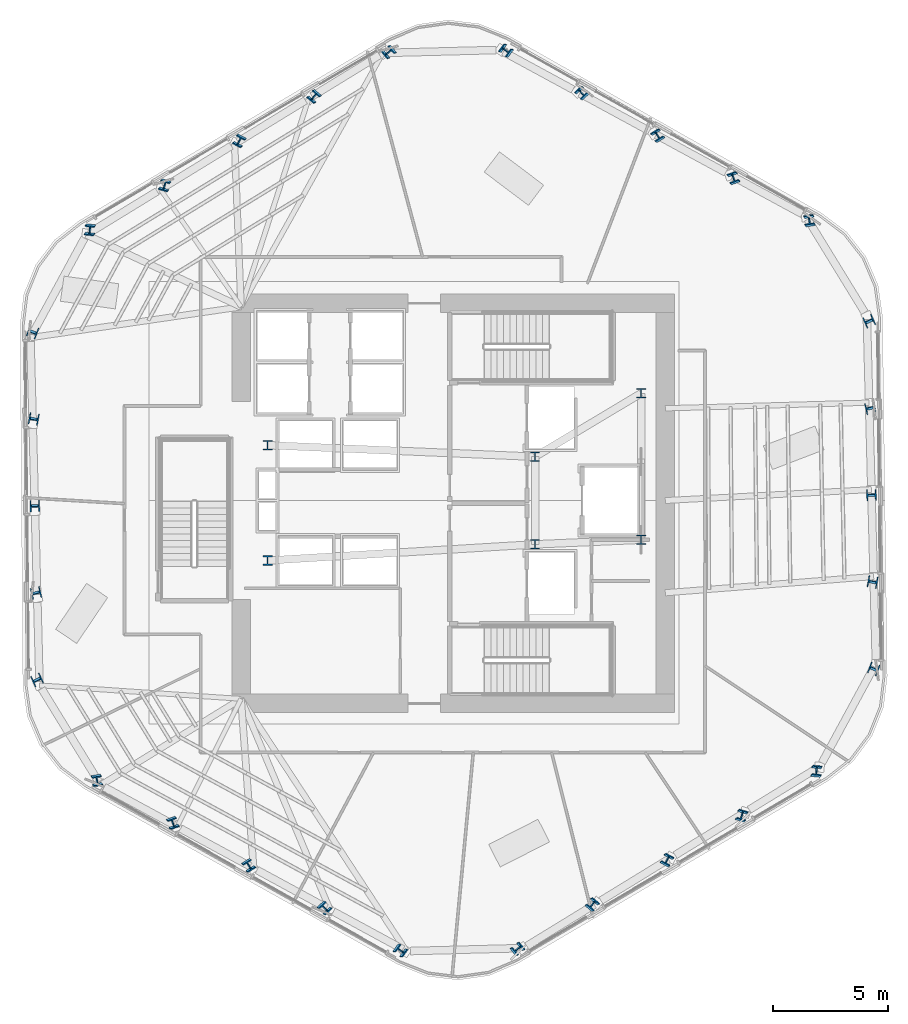
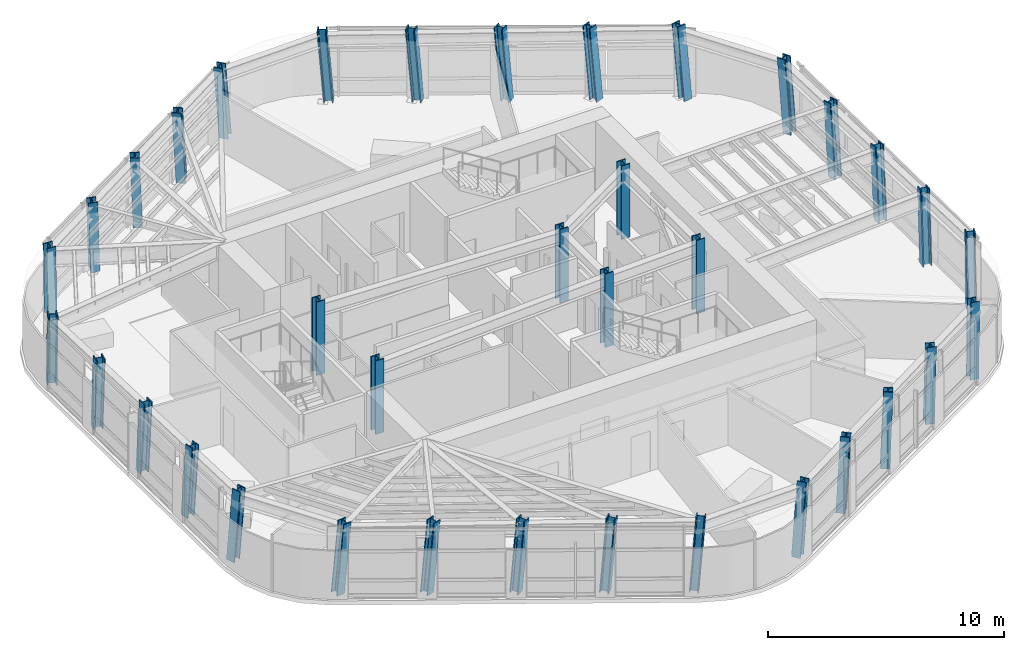
# One storey, part 1 of 16: 36 columns.
"""IFC4 building model written with IfcOpenShell, lengths in metres."""

from ifc_helpers import new_model, si_unit, direction, frame, origin, origin_2d, place, context, subcontext, project, spatial, i_section, extrude, material, material_profile, profile_set, type_object, element, save


model = new_model("IFC4")

# Units and contexts
model_context = context("Model", 3, precision=1e-05, world=origin(), true_north=direction((0.0, 1.0)))
body_context = subcontext(model_context, "Body", "Model", "MODEL_VIEW")
ifc_project = project(units=[si_unit("LENGTHUNIT", "METRE"), si_unit("AREAUNIT", "SQUARE_METRE"), si_unit("VOLUMEUNIT", "CUBIC_METRE"), si_unit("PLANEANGLEUNIT", "RADIAN"), si_unit("MASSUNIT", "GRAM", prefix="KILO")], contexts=[model_context])

# Site, building, storey
site_placement = place(None, origin())
site = spatial("IfcSite", under=ifc_project, at=site_placement, CompositionType="ELEMENT")
building_placement = place(site_placement, origin())
building = spatial("IfcBuilding", under=site, at=building_placement, Name="Valkerne Bourse Tower", CompositionType="ELEMENT")
storey_placement = place(building_placement, frame((0.0, 0.0, 155.199951171875)))
storey = spatial("IfcBuildingStorey", under=building, at=storey_placement, Name="L39", CompositionType="ELEMENT", Elevation=155.199951171875)

# Columns
ifc_material = material(Name="Steel ASTM A913 Grade 65", Category="steel")
ifc_material_profile_1 = material_profile(ifc_material, i_section(OverallWidth=0.406494140625, OverallDepth=0.41650390625, WebThickness=0.02978515625, FlangeThickness=0.048095703125, FilletRadius=0.025390625, at=origin_2d()), Name="W14X257")
ifc_profile_set_1 = profile_set([ifc_material_profile_1], Name="Steel ASTM A913 Grade 65")
column_type_1 = type_object("IfcColumnType", Name="COL-W14X257", PredefinedType="COLUMN", material=ifc_profile_set_1)
column_1_placement = place(storey_placement, frame((62.27734375, 39.104248046875, 0.010009765625), z_axis=(-0.05064821582, 0.063712495123, 0.996682234315), x_axis=(0.986447380778, 0.159138757634, 0.039955234624)))
element("IfcColumn", 1, at=column_1_placement, inside=storey, type_object=column_type_1, Name="L39 Helical Perimeter Tube Column F1-C1", PredefinedType="COLUMN", context=body_context, shape_type="SweptSolid", body=[
    extrude(i_section(OverallWidth=0.406494140625, OverallDepth=0.41650390625, WebThickness=0.02978515625, FlangeThickness=0.048095703125, FilletRadius=0.025390625, at=origin_2d()), origin(), (0.0, 0.0, 1.0), 3.793701171875),
])
column_2_placement = place(storey_placement, frame((58.991943359375, 40.955322265625, 0.010009765625), z_axis=(-0.058199206881, 0.050087370524, 0.997047695766), x_axis=(0.93928421405, 0.34106353484, 0.037693904526)))
element("IfcColumn", 2, at=column_2_placement, inside=storey, type_object=column_type_1, Name="L39 Helical Perimeter Tube Column F1-C2", PredefinedType="COLUMN", context=body_context, shape_type="SweptSolid", body=[
    extrude(i_section(OverallWidth=0.406494140625, OverallDepth=0.41650390625, WebThickness=0.02978515625, FlangeThickness=0.048095703125, FilletRadius=0.025390625, at=origin_2d()), origin(), (0.0, 0.0, 1.0), 3.792236328125),
])
column_3_placement = place(storey_placement, frame((55.70654296875, 42.806640625, 0.010009765625), z_axis=(-0.065739914746, 0.036379090922, 0.997173417893), x_axis=(0.850139713768, 0.525263796792, 0.036883747825)))
element("IfcColumn", 3, at=column_3_placement, inside=storey, type_object=column_type_1, Name="L39 Helical Perimeter Tube Column F1-C3", PredefinedType="COLUMN", context=body_context, shape_type="SweptSolid", body=[
    extrude(i_section(OverallWidth=0.406494140625, OverallDepth=0.41650390625, WebThickness=0.02978515625, FlangeThickness=0.048095703125, FilletRadius=0.025390625, at=origin_2d()), origin(), (0.0, 0.0, 1.0), 3.791748046875),
])
column_4_placement = place(storey_placement, frame((52.421142578125, 44.65771484375, 0.010009765625), z_axis=(-0.073264478095, 0.022726151817, 0.997053578437), x_axis=(0.725595295387, 0.687090579036, 0.037656387406)))
element("IfcColumn", 4, at=column_4_placement, inside=storey, type_object=column_type_1, Name="L39 Helical Perimeter Tube Column F1-C4", PredefinedType="COLUMN", context=body_context, shape_type="SweptSolid", body=[
    extrude(i_section(OverallWidth=0.406494140625, OverallDepth=0.41650390625, WebThickness=0.02978515625, FlangeThickness=0.048095703125, FilletRadius=0.025390625, at=origin_2d()), origin(), (0.0, 0.0, 1.0), 3.792236328125),
])
for number, where, z_axis, x_axis, name in (
    (5, (49.135986328125, 46.509033203125, 0.010009765625), (-0.080895531836, 0.009009844437, 0.996681862799), (0.582704440495, 0.811701260186, 0.039957467894), "L39 Helical Perimeter Tube Column F1-C5"),
    (6, (44.05615234375, 46.455810546875, 0.010009765625), (-0.080509404315, -0.011970223184, 0.996681970126), (-0.628420453366, 0.776769611771, -0.041433127098), "L39 Helical Perimeter Tube Column F2-C1"),
):
    element("IfcColumn", number, at=place(storey_placement, frame(where, z_axis=z_axis, x_axis=x_axis)), inside=storey, type_object=column_type_1, Name=name, PredefinedType="COLUMN", context=body_context, shape_type="SweptSolid", body=[
        extrude(i_section(OverallWidth=0.406494140625, OverallDepth=0.41650390625, WebThickness=0.02978515625, FlangeThickness=0.048095703125, FilletRadius=0.025390625, at=origin_2d()), origin(), (0.0, 0.0, 1.0), 3.793701171875),
    ])
column_5_placement = place(storey_placement, frame((40.810302734375, 44.5361328125, 0.010009765625), z_axis=(-0.072491398047, -0.025365551359, 0.997046431222), x_axis=(-0.763339392317, 0.644813582711, -0.039094957329)))
element("IfcColumn", 7, at=column_5_placement, inside=storey, type_object=column_type_1, Name="L39 Helical Perimeter Tube Column F2-C2", PredefinedType="COLUMN", context=body_context, shape_type="SweptSolid", body=[
    extrude(i_section(OverallWidth=0.406494140625, OverallDepth=0.41650390625, WebThickness=0.02978515625, FlangeThickness=0.048095703125, FilletRadius=0.025390625, at=origin_2d()), origin(), (0.0, 0.0, 1.0), 3.792236328125),
])
column_6_placement = place(storey_placement, frame((37.564208984375, 42.61669921875, 0.010009765625), z_axis=(-0.064323391239, -0.038825830748, 0.997173533647), x_axis=(-0.879372399432, 0.474596088718, -0.038245727742)))
element("IfcColumn", 8, at=column_6_placement, inside=storey, type_object=column_type_1, Name="L39 Helical Perimeter Tube Column F2-C3", PredefinedType="COLUMN", context=body_context, shape_type="SweptSolid", body=[
    extrude(i_section(OverallWidth=0.406494140625, OverallDepth=0.41650390625, WebThickness=0.02978515625, FlangeThickness=0.048095703125, FilletRadius=0.025390625, at=origin_2d()), origin(), (0.0, 0.0, 1.0), 3.791748046875),
])
column_7_placement = place(storey_placement, frame((34.318603515625, 40.697021484375, 0.010009765625), z_axis=(-0.056332287401, -0.052147603194, 0.997049297115), x_axis=(-0.957174803451, 0.286861396504, -0.03907601355)))
element("IfcColumn", 9, at=column_7_placement, inside=storey, type_object=column_type_1, Name="L39 Helical Perimeter Tube Column F2-C4", PredefinedType="COLUMN", context=body_context, shape_type="SweptSolid", body=[
    extrude(i_section(OverallWidth=0.406494140625, OverallDepth=0.41650390625, WebThickness=0.02978515625, FlangeThickness=0.048095703125, FilletRadius=0.025390625, at=origin_2d()), origin(), (0.0, 0.0, 1.0), 3.792236328125),
])
column_8_placement = place(storey_placement, frame((31.072509765625, 38.777587890625, 0.010009765625), z_axis=(-0.048202899721, -0.065514755562, 0.996686659518), x_axis=(-0.993979431257, 0.1014426361, -0.041403886515)))
element("IfcColumn", 10, at=column_8_placement, inside=storey, type_object=column_type_1, Name="L39 Helical Perimeter Tube Column F2-C5", PredefinedType="COLUMN", context=body_context, shape_type="SweptSolid", body=[
    extrude(i_section(OverallWidth=0.406494140625, OverallDepth=0.41650390625, WebThickness=0.02978515625, FlangeThickness=0.048095703125, FilletRadius=0.025390625, at=origin_2d()), origin(), (0.0, 0.0, 1.0), 3.79345703125),
])
column_9_placement = place(storey_placement, frame((28.578857421875, 34.3515625, 0.010009765625), z_axis=(-0.029861283856, -0.075682909083, 0.996684704909), x_axis=(-0.35604462904, -0.930920699644, -0.081356457071)))
element("IfcColumn", 11, at=column_9_placement, inside=storey, type_object=column_type_1, Name="L39 Helical Perimeter Tube Column F3-C1", PredefinedType="COLUMN", context=body_context, shape_type="SweptSolid", body=[
    extrude(i_section(OverallWidth=0.406494140625, OverallDepth=0.41650390625, WebThickness=0.02978515625, FlangeThickness=0.048095703125, FilletRadius=0.025390625, at=origin_2d()), origin(), (0.0, 0.0, 1.0), 3.793701171875),
])
column_10_placement = place(storey_placement, frame((28.618408203125, 30.580810546875, 0.010009765625), z_axis=(-0.014292341604, -0.075388882963, 0.997051776638), x_axis=(-0.175415976499, -0.981499936896, -0.076727498734)))
element("IfcColumn", 12, at=column_10_placement, inside=storey, type_object=column_type_1, Name="L39 Helical Perimeter Tube Column F3-C2", PredefinedType="COLUMN", context=body_context, shape_type="SweptSolid", body=[
    extrude(i_section(OverallWidth=0.406494140625, OverallDepth=0.41650390625, WebThickness=0.02978515625, FlangeThickness=0.048095703125, FilletRadius=0.025390625, at=origin_2d()), origin(), (0.0, 0.0, 1.0), 3.792236328125),
])
column_11_placement = place(storey_placement, frame((28.65771484375, 26.81005859375, 0.010009765625), z_axis=(0.001416528898, -0.07514041927, 0.997171956504), x_axis=(0.029263996853, -0.996742769568, -0.075149649384)))
element("IfcColumn", 13, at=column_11_placement, inside=storey, type_object=column_type_1, Name="L39 Helical Perimeter Tube Column F3-C3", PredefinedType="COLUMN", context=body_context, shape_type="SweptSolid", body=[
    extrude(i_section(OverallWidth=0.406494140625, OverallDepth=0.41650390625, WebThickness=0.02978515625, FlangeThickness=0.048095703125, FilletRadius=0.025390625, at=origin_2d()), origin(), (0.0, 0.0, 1.0), 3.791748046875),
])
column_12_placement = place(storey_placement, frame((28.697265625, 23.039306640625, 0.010009765625), z_axis=(0.016996236836, -0.074873573636, 0.997048181336), x_axis=(0.230913846515, -0.969940471276, -0.076774199236)))
element("IfcColumn", 14, at=column_12_placement, inside=storey, type_object=column_type_1, Name="L39 Helical Perimeter Tube Column F3-C4", PredefinedType="COLUMN", context=body_context, shape_type="SweptSolid", body=[
    extrude(i_section(OverallWidth=0.406494140625, OverallDepth=0.41650390625, WebThickness=0.02978515625, FlangeThickness=0.048095703125, FilletRadius=0.025390625, at=origin_2d()), origin(), (0.0, 0.0, 1.0), 3.792236328125),
])
column_13_placement = place(storey_placement, frame((28.73681640625, 19.268310546875, 0.010009765625), z_axis=(0.032564330674, -0.074524693518, 0.996687330322), x_axis=(0.408651094448, -0.909060307543, -0.081324290691)))
element("IfcColumn", 15, at=column_13_placement, inside=storey, type_object=column_type_1, Name="L39 Helical Perimeter Tube Column F3-C5", PredefinedType="COLUMN", context=body_context, shape_type="SweptSolid", body=[
    extrude(i_section(OverallWidth=0.406494140625, OverallDepth=0.41650390625, WebThickness=0.02978515625, FlangeThickness=0.048095703125, FilletRadius=0.025390625, at=origin_2d()), origin(), (0.0, 0.0, 1.0), 3.79345703125),
])
column_14_placement = place(storey_placement, frame((31.32275390625, 14.895751953125, 0.010009765625), z_axis=(0.05064821582, -0.063712495123, 0.996682234315), x_axis=(0.986447380778, 0.159138757634, -0.039955234624)))
element("IfcColumn", 16, at=column_14_placement, inside=storey, type_object=column_type_1, Name="L39 Helical Perimeter Tube Column F4-C1", PredefinedType="COLUMN", context=body_context, shape_type="SweptSolid", body=[
    extrude(i_section(OverallWidth=0.406494140625, OverallDepth=0.41650390625, WebThickness=0.02978515625, FlangeThickness=0.048095703125, FilletRadius=0.025390625, at=origin_2d()), origin(), (0.0, 0.0, 1.0), 3.793701171875),
])
column_15_placement = place(storey_placement, frame((34.608154296875, 13.044677734375, 0.010009765625), z_axis=(0.058199206881, -0.050087370524, 0.997047695766), x_axis=(0.93928421405, 0.34106353484, -0.037693904526)))
element("IfcColumn", 17, at=column_15_placement, inside=storey, type_object=column_type_1, Name="L39 Helical Perimeter Tube Column F4-C2", PredefinedType="COLUMN", context=body_context, shape_type="SweptSolid", body=[
    extrude(i_section(OverallWidth=0.406494140625, OverallDepth=0.41650390625, WebThickness=0.02978515625, FlangeThickness=0.048095703125, FilletRadius=0.025390625, at=origin_2d()), origin(), (0.0, 0.0, 1.0), 3.792236328125),
])
column_16_placement = place(storey_placement, frame((37.893310546875, 11.193359375, 0.010009765625), z_axis=(0.065804023843, -0.036378936861, 0.997169194971), x_axis=(0.84992004053, 0.525617241226, -0.036911250735)))
element("IfcColumn", 18, at=column_16_placement, inside=storey, type_object=column_type_1, Name="L39 Helical Perimeter Tube Column F4-C3", PredefinedType="COLUMN", context=body_context, shape_type="SweptSolid", body=[
    extrude(i_section(OverallWidth=0.406494140625, OverallDepth=0.41650390625, WebThickness=0.02978515625, FlangeThickness=0.048095703125, FilletRadius=0.025390625, at=origin_2d()), origin(), (0.0, 0.0, 1.0), 3.791748046875),
])
column_17_placement = place(storey_placement, frame((41.1787109375, 9.34228515625, 0.010009765625), z_axis=(0.073328512104, -0.022726044577, 0.997048873532), x_axis=(0.725422357044, 0.687271517988, -0.037686396256)))
element("IfcColumn", 19, at=column_17_placement, inside=storey, type_object=column_type_1, Name="L39 Helical Perimeter Tube Column F4-C4", PredefinedType="COLUMN", context=body_context, shape_type="SweptSolid", body=[
    extrude(i_section(OverallWidth=0.406494140625, OverallDepth=0.41650390625, WebThickness=0.02978515625, FlangeThickness=0.048095703125, FilletRadius=0.025390625, at=origin_2d()), origin(), (0.0, 0.0, 1.0), 3.792236328125),
])
for number, where, z_axis, x_axis, name in (
    (20, (44.464111328125, 7.490966796875, 0.010009765625), (0.080831596456, -0.009009891325, 0.996687049616), (0.582778064127, 0.811649937072, -0.039926277352), "L39 Helical Perimeter Tube Column F4-C5"),
    (21, (49.5439453125, 7.544189453125, 0.010009765625), (0.08044546492, 0.01197028518, 0.996687132177), (-0.628513441103, 0.776696090293, 0.041400938115), "L39 Helical Perimeter Tube Column F5-C1"),
):
    element("IfcColumn", number, at=place(storey_placement, frame(where, z_axis=z_axis, x_axis=x_axis)), inside=storey, type_object=column_type_1, Name=name, PredefinedType="COLUMN", context=body_context, shape_type="SweptSolid", body=[
        extrude(i_section(OverallWidth=0.406494140625, OverallDepth=0.41650390625, WebThickness=0.02978515625, FlangeThickness=0.048095703125, FilletRadius=0.025390625, at=origin_2d()), origin(), (0.0, 0.0, 1.0), 3.79345703125),
    ])
column_18_placement = place(storey_placement, frame((52.789794921875, 9.4638671875, 0.010009765625), z_axis=(0.072427356342, 0.025365669688, 0.99705108237), x_axis=(-0.763520260746, 0.644601271383, 0.039064208201)))
element("IfcColumn", 22, at=column_18_placement, inside=storey, type_object=column_type_1, Name="L39 Helical Perimeter Tube Column F5-C2", PredefinedType="COLUMN", context=body_context, shape_type="SweptSolid", body=[
    extrude(i_section(OverallWidth=0.406494140625, OverallDepth=0.41650390625, WebThickness=0.02978515625, FlangeThickness=0.048095703125, FilletRadius=0.025390625, at=origin_2d()), origin(), (0.0, 0.0, 1.0), 3.792236328125),
])
column_19_placement = place(storey_placement, frame((56.03564453125, 11.38330078125, 0.010009765625), z_axis=(0.064387512215, 0.038825669866, 0.997169401672), x_axis=(-0.879160487507, 0.474986280004, 0.038273633413)))
element("IfcColumn", 23, at=column_19_placement, inside=storey, type_object=column_type_1, Name="L39 Helical Perimeter Tube Column F5-C3", PredefinedType="COLUMN", context=body_context, shape_type="SweptSolid", body=[
    extrude(i_section(OverallWidth=0.406494140625, OverallDepth=0.41650390625, WebThickness=0.02978515625, FlangeThickness=0.048095703125, FilletRadius=0.025390625, at=origin_2d()), origin(), (0.0, 0.0, 1.0), 3.791748046875),
])
column_20_placement = place(storey_placement, frame((59.281494140625, 13.302978515625, 0.010009765625), z_axis=(0.056332287401, 0.052147603194, 0.997049297115), x_axis=(-0.957174803451, 0.286861396504, 0.03907601355)))
element("IfcColumn", 24, at=column_20_placement, inside=storey, type_object=column_type_1, Name="L39 Helical Perimeter Tube Column F5-C4", PredefinedType="COLUMN", context=body_context, shape_type="SweptSolid", body=[
    extrude(i_section(OverallWidth=0.406494140625, OverallDepth=0.41650390625, WebThickness=0.02978515625, FlangeThickness=0.048095703125, FilletRadius=0.025390625, at=origin_2d()), origin(), (0.0, 0.0, 1.0), 3.792236328125),
])
for number, where, z_axis, x_axis, name in (
    (25, (62.52734375, 15.222412109375, 0.010009765625), (0.04826710623, 0.06551455219, 0.996683565585), (-0.993913674764, 0.102077064972, 0.041423180986), "L39 Helical Perimeter Tube Column F5-C5"),
    (26, (65.021240234375, 19.6484375, 0.010009765625), (0.029861283856, 0.075682909083, 0.996684704909), (-0.35604462904, -0.930920699644, 0.081356457071), "L39 Helical Perimeter Tube Column F6-C1"),
):
    element("IfcColumn", number, at=place(storey_placement, frame(where, z_axis=z_axis, x_axis=x_axis)), inside=storey, type_object=column_type_1, Name=name, PredefinedType="COLUMN", context=body_context, shape_type="SweptSolid", body=[
        extrude(i_section(OverallWidth=0.406494140625, OverallDepth=0.41650390625, WebThickness=0.02978515625, FlangeThickness=0.048095703125, FilletRadius=0.025390625, at=origin_2d()), origin(), (0.0, 0.0, 1.0), 3.793701171875),
    ])
column_21_placement = place(storey_placement, frame((64.981689453125, 23.419189453125, 0.010009765625), z_axis=(0.014227974749, 0.075388952175, 0.997052692), x_axis=(-0.174606867724, -0.981645128246, 0.076715604245)))
element("IfcColumn", 27, at=column_21_placement, inside=storey, type_object=column_type_1, Name="L39 Helical Perimeter Tube Column F6-C2", PredefinedType="COLUMN", context=body_context, shape_type="SweptSolid", body=[
    extrude(i_section(OverallWidth=0.406494140625, OverallDepth=0.41650390625, WebThickness=0.02978515625, FlangeThickness=0.048095703125, FilletRadius=0.025390625, at=origin_2d()), origin(), (0.0, 0.0, 1.0), 3.792236328125),
])
column_22_placement = place(storey_placement, frame((64.942138671875, 27.18994140625, 0.010009765625), z_axis=(-0.001352141341, 0.075140425968, 0.997172045386), x_axis=(0.028410170759, -0.996767560486, 0.075148470115)))
element("IfcColumn", 28, at=column_22_placement, inside=storey, type_object=column_type_1, Name="L39 Helical Perimeter Tube Column F6-C3", PredefinedType="COLUMN", context=body_context, shape_type="SweptSolid", body=[
    extrude(i_section(OverallWidth=0.406494140625, OverallDepth=0.41650390625, WebThickness=0.02978515625, FlangeThickness=0.048095703125, FilletRadius=0.025390625, at=origin_2d()), origin(), (0.0, 0.0, 1.0), 3.791748046875),
])
column_23_placement = place(storey_placement, frame((64.902587890625, 30.960693359375, 0.010009765625), z_axis=(-0.016931875643, 0.074873655408, 0.997049270254), x_axis=(0.230120732664, -0.970130064424, 0.076760057959)))
element("IfcColumn", 29, at=column_23_placement, inside=storey, type_object=column_type_1, Name="L39 Helical Perimeter Tube Column F6-C4", PredefinedType="COLUMN", context=body_context, shape_type="SweptSolid", body=[
    extrude(i_section(OverallWidth=0.406494140625, OverallDepth=0.41650390625, WebThickness=0.02978515625, FlangeThickness=0.048095703125, FilletRadius=0.025390625, at=origin_2d()), origin(), (0.0, 0.0, 1.0), 3.792236328125),
])
column_24_placement = place(storey_placement, frame((64.86328125, 34.731689453125, 0.010009765625), z_axis=(-0.03262861861, 0.074524537181, 0.996685239484), x_axis=(0.409309107941, -0.908761930617, 0.081349908528)))
element("IfcColumn", 30, at=column_24_placement, inside=storey, type_object=column_type_1, Name="L39 Helical Perimeter Tube Column F6-C5", PredefinedType="COLUMN", context=body_context, shape_type="SweptSolid", body=[
    extrude(i_section(OverallWidth=0.406494140625, OverallDepth=0.41650390625, WebThickness=0.02978515625, FlangeThickness=0.048095703125, FilletRadius=0.025390625, at=origin_2d()), origin(), (0.0, 0.0, 1.0), 3.793701171875),
])
ifc_material_profile_2 = material_profile(ifc_material, i_section(OverallWidth=0.408935546875, OverallDepth=0.42431640625, WebThickness=0.03271484375, FlangeThickness=0.052490234375, FilletRadius=0.025390625, at=origin_2d()), Name="W14X283")
ifc_profile_set_2 = profile_set([ifc_material_profile_2], Name="Steel ASTM A913 Grade 65")
column_type_2 = type_object("IfcColumnType", Name="COL-W14X283", PredefinedType="COLUMN", material=ifc_profile_set_2)
for number, where, z_axis, x_axis, name in (
    (31, (38.75, 24.39990234375, 0.005126953125), (0.0, 0.0, 1.0), (1.0, 0.0, 0.0), "L39 Core Frame Column CC-SW"),
    (32, (38.75, 29.39990234375, 0.005126953125), (0.0, 0.0, 1.0), (1.0, 0.0, 0.0), "L39 Core Frame Column CC-NW"),
    (33, (50.35009765625, 25.10009765625, 0.005126953125), (0.0, 0.0, 1.0), (1.0, 0.0, 0.0), "L39 Core Frame Column CC-CE1"),
    (34, (50.35009765625, 28.89990234375, 0.005126953125), (0.0, 0.0, 1.0), (1.0, 0.0, 0.0), "L39 Core Frame Column CC-CE2"),
    (35, (54.949951171875, 25.300048828125, 0.005126953125), (0.0, 0.0, 1.0), (1.0, 0.0, 0.0), "L39 Core Frame Column CC-SE"),
    (36, (54.949951171875, 31.64990234375, 0.005126953125), (0.0, 0.0, 1.0), (1.0, 0.0, 0.0), "L39 Core Frame Column CC-NE"),
):
    element("IfcColumn", number, at=place(storey_placement, frame(where, z_axis=z_axis, x_axis=x_axis)), inside=storey, type_object=column_type_2, Name=name, PredefinedType="COLUMN", context=body_context, shape_type="SweptSolid", body=[
        extrude(i_section(OverallWidth=0.408935546875, OverallDepth=0.42431640625, WebThickness=0.03271484375, FlangeThickness=0.052490234375, FilletRadius=0.025390625, at=origin_2d()), origin(), (0.0, 0.0, 1.0), 3.794921875),
    ])

save(model, "model.ifc")
